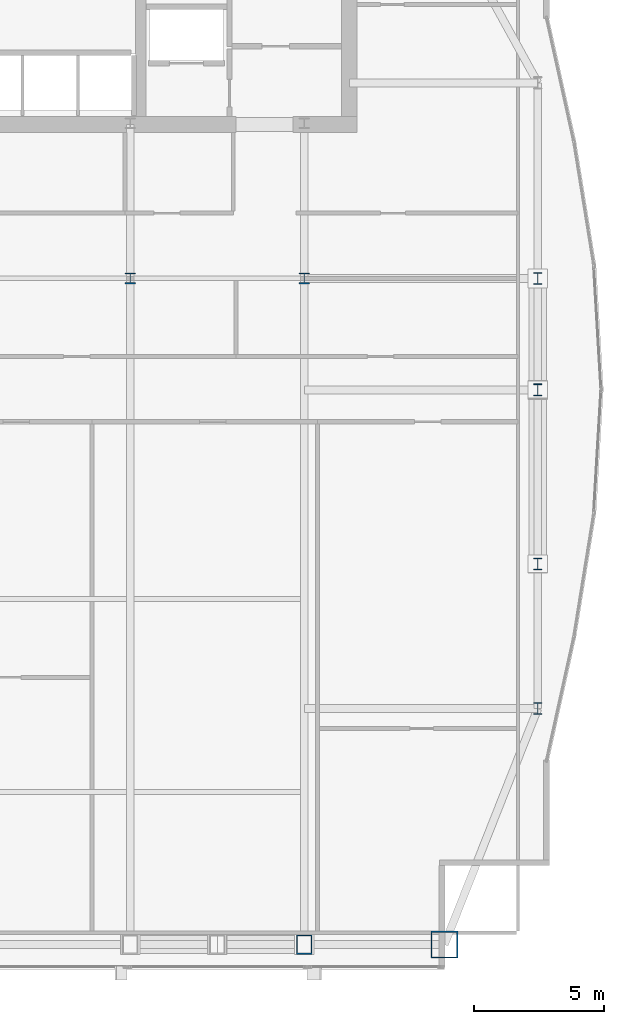
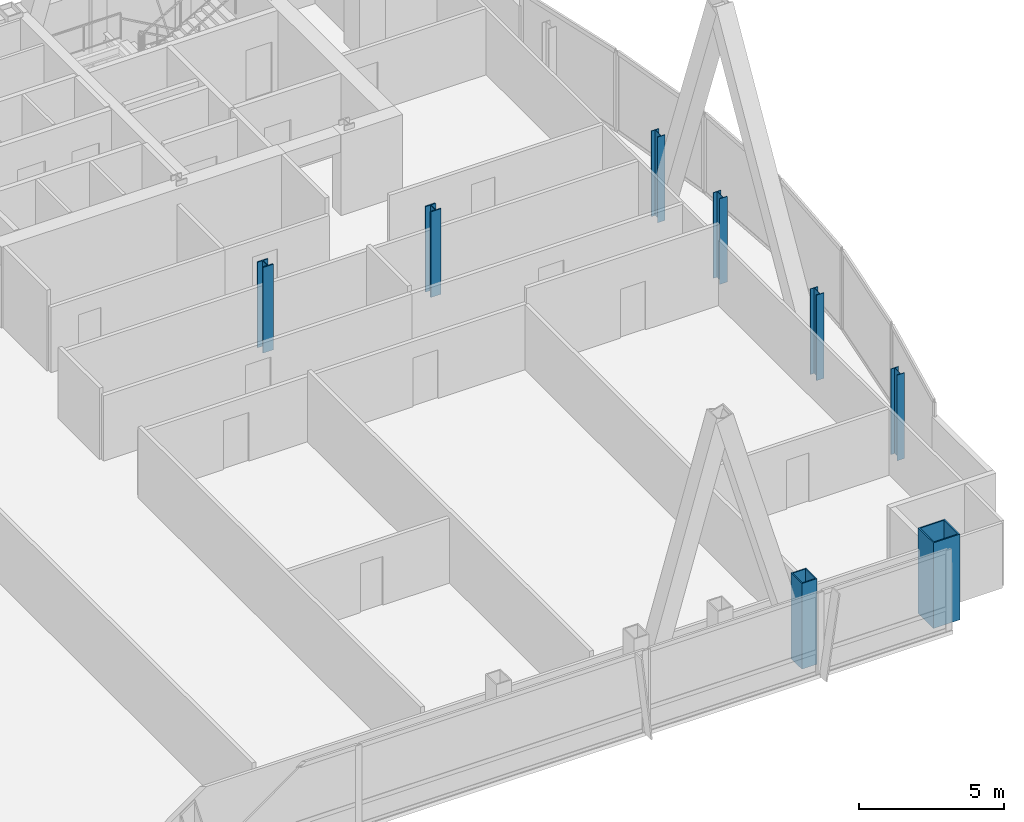
# One storey, part 2 of 31: 8 columns.
"""IFC4 building model written with IfcOpenShell, lengths in metres."""

from ifc_helpers import new_model, si_unit, direction, frame, origin, origin_2d, place, context, subcontext, project, spatial, hollow_rectangle, i_section, extrude, material, material_profile, profile_set, type_object, element, save


model = new_model("IFC4")

# Units and contexts
model_context = context("Model", 3, precision=1e-05, world=origin(), true_north=direction((0.0, 1.0)))
body_context = subcontext(model_context, "Body", "Model", "MODEL_VIEW")
ifc_project = project(units=[si_unit("LENGTHUNIT", "METRE"), si_unit("AREAUNIT", "SQUARE_METRE"), si_unit("VOLUMEUNIT", "CUBIC_METRE"), si_unit("PLANEANGLEUNIT", "RADIAN"), si_unit("MASSUNIT", "GRAM", prefix="KILO")], contexts=[model_context])

# Site, building, storey
site_placement = place(None, origin())
site = spatial("IfcSite", under=ifc_project, at=site_placement, CompositionType="ELEMENT")
building_placement = place(site_placement, origin())
building = spatial("IfcBuilding", under=site, at=building_placement, Name="Khoronbel Lancet Exchange", CompositionType="ELEMENT")
storey_placement = place(building_placement, frame((0.0, 0.0, 261.800048828125)))
storey = spatial("IfcBuildingStorey", under=building, at=storey_placement, Name="L67", CompositionType="ELEMENT", Elevation=261.800048828125)

# Columns
ifc_material_1 = material(Name="Steel S460", Category="steel")
ifc_material_profile_1 = material_profile(ifc_material_1, hollow_rectangle(XDim=0.60009765625, YDim=0.75, WallThickness=0.044921875, at=origin_2d()), Name="BOX 750x600x45")
ifc_profile_set_1 = profile_set([ifc_material_profile_1], Name="Steel S460")
column_type_1 = type_object("IfcColumnType", Name="COL-EC3", PredefinedType="COLUMN", material=ifc_profile_set_1)
column_1_placement = place(storey_placement, frame((54.675048828125, 10.14990234375, 0.0), z_axis=(0.0, 0.0, 1.0), x_axis=(1.0, 0.0, 0.0)))
element("IfcColumn", 1, at=column_1_placement, inside=storey, type_object=column_type_1, Name="Structural column SC-E2 L67", PredefinedType="COLUMN", context=body_context, shape_type="SweptSolid", body=[
    extrude(hollow_rectangle(XDim=0.60009765625, YDim=0.75, WallThickness=0.044921875, at=origin_2d()), origin(), (0.0, 0.0, 1.0), 3.599853515625),
])
ifc_material_2 = material(Name="Steel S355", Category="steel")
ifc_material_profile_2 = material_profile(ifc_material_2, i_section(OverallWidth=0.406005859375, OverallDepth=0.416015625, WebThickness=0.02978515625, FlangeThickness=0.048095703125, at=origin_2d()), Name="HD 400x382")
ifc_profile_set_2 = profile_set([ifc_material_profile_2], Name="Steel S355")
column_type_2 = type_object("IfcColumnType", Name="COL-IC3", PredefinedType="COLUMN", material=ifc_profile_set_2)
for number, where, z_axis, x_axis, name in (
    (2, (48.0, 35.699951171875, 0.0), (0.0, 0.0, 1.0), (1.0, 0.0, 0.0), "Spine gravity column TC3 L67"),
    (3, (54.675048828125, 35.699951171875, 0.0), (0.0, 0.0, 1.0), (1.0, 0.0, 0.0), "Spine gravity column TC4 L67"),
):
    element("IfcColumn", number, at=place(storey_placement, frame(where, z_axis=z_axis, x_axis=x_axis)), inside=storey, type_object=column_type_2, Name=name, PredefinedType="COLUMN", context=body_context, shape_type="SweptSolid", body=[
        extrude(i_section(OverallWidth=0.406005859375, OverallDepth=0.416015625, WebThickness=0.02978515625, FlangeThickness=0.048095703125, at=origin_2d()), origin(), (0.0, 0.0, 1.0), 3.599853515625),
    ])
ifc_material_profile_3 = material_profile(ifc_material_2, i_section(OverallWidth=0.300048828125, OverallDepth=0.449951171875, WebThickness=0.013916015625, FlangeThickness=0.02587890625, at=origin_2d()), Name="HEB 450")
ifc_profile_set_3 = profile_set([ifc_material_profile_3], Name="Steel S355")
column_type_3 = type_object("IfcColumnType", Name="COL-LC2", PredefinedType="COLUMN", material=ifc_profile_set_3)
for number, where, z_axis, x_axis, name in (
    (4, (63.6298828125, 19.199951171875, 0.0), (0.0, 0.0, 1.0), (1.0, 0.0, 0.0), "Structural column EC-1 L67"),
    (5, (63.6298828125, 24.75, 0.0), (0.0, 0.0, 1.0), (1.0, 0.0, 0.0), "Structural column EC-2 L67"),
    (6, (63.6298828125, 31.425048828125, 0.0), (0.0, 0.0, 1.0), (1.0, 0.0, 0.0), "Structural column EC-M L67"),
    (7, (63.6298828125, 35.699951171875, 0.0), (0.0, 0.0, 1.0), (1.0, 0.0, 0.0), "Structural column EC-3 L67"),
):
    element("IfcColumn", number, at=place(storey_placement, frame(where, z_axis=z_axis, x_axis=x_axis)), inside=storey, type_object=column_type_3, Name=name, PredefinedType="COLUMN", context=body_context, shape_type="SweptSolid", body=[
        extrude(i_section(OverallWidth=0.300048828125, OverallDepth=0.449951171875, WebThickness=0.013916015625, FlangeThickness=0.02587890625, at=origin_2d()), origin(), (0.0, 0.0, 1.0), 3.599853515625),
    ])
ifc_material_profile_4 = material_profile(ifc_material_1, hollow_rectangle(XDim=1.050048828125, YDim=1.050048828125, WallThickness=0.054931640625, at=origin_2d()), Name="BOX 1050x1050x55")
ifc_profile_set_4 = profile_set([ifc_material_profile_4], Name="Steel S460")
column_type_4 = type_object("IfcColumnType", Name="COL-MC6", PredefinedType="COLUMN", material=ifc_profile_set_4)
column_2_placement = place(storey_placement, frame((60.050048828125, 10.14990234375, 0.0), z_axis=(0.0, 0.0, 1.0), x_axis=(1.0, 0.0, 0.0)))
element("IfcColumn", 8, at=column_2_placement, inside=storey, type_object=column_type_4, Name="Structural column MC-SE L67", PredefinedType="COLUMN", context=body_context, shape_type="SweptSolid", body=[
    extrude(hollow_rectangle(XDim=1.050048828125, YDim=1.050048828125, WallThickness=0.054931640625, at=origin_2d()), origin(), (0.0, 0.0, 1.0), 3.599853515625),
])

save(model, "model.ifc")
